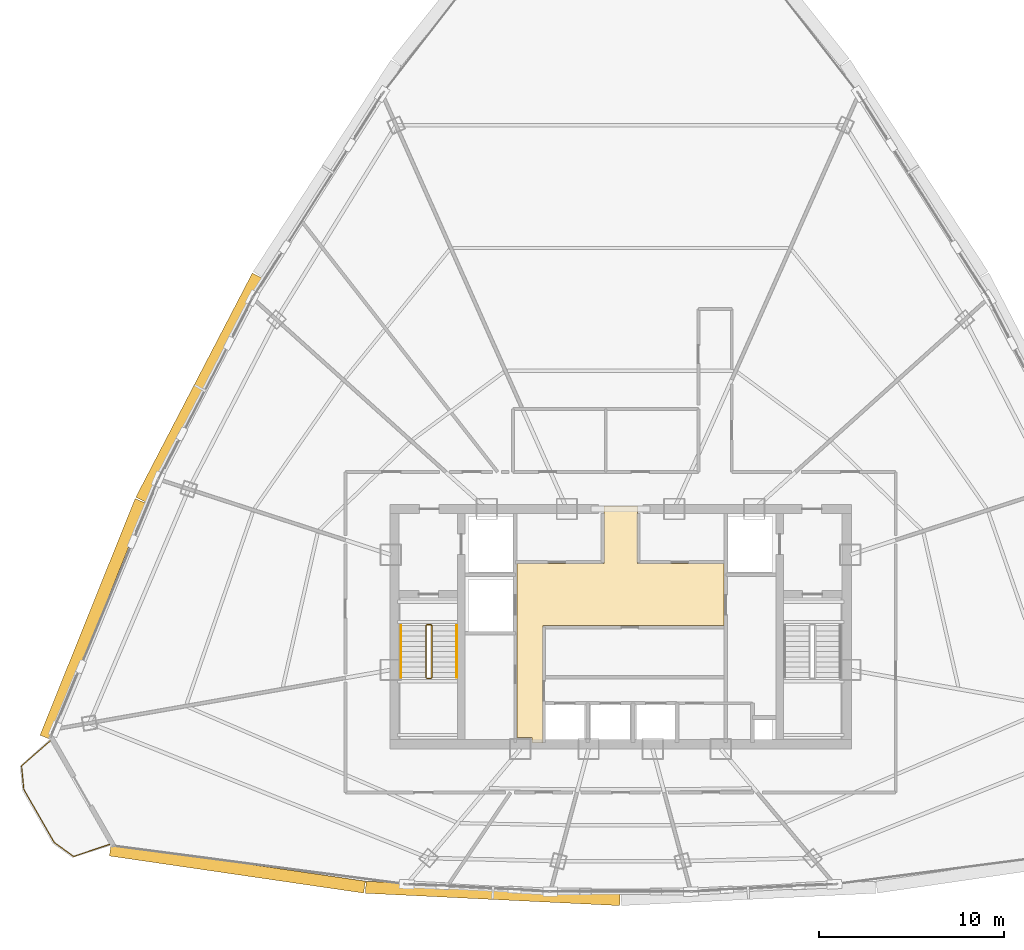
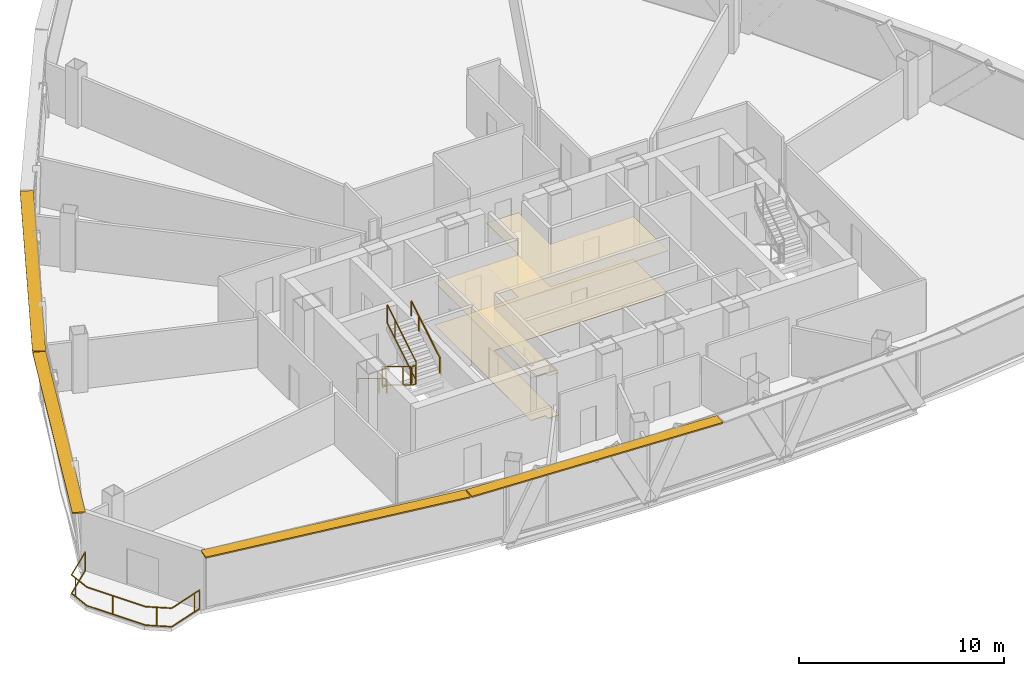
# One storey, part 33 of 35: 7 railings, 4 shading devices, 2 coverings.
"""IFC4 building model written with IfcOpenShell, lengths in metres."""

import ifcopenshell
import ifcopenshell.guid

model = None  # the IFC model being written
_history = None  # IfcOwnerHistory: only IFC2X3 demands one
_inside = {}  # id of a spatial element -> (the spatial element, [elements in it])
_under = {}  # id of a project, library or spatial element -> (it, [spatial elements below it])
_declared = {}  # id of a project -> (the project, [libraries it declares])
_typed = {}  # id of a type object -> (the type object, [elements of that type])
_made_of = {}  # id of a material, layer set ... -> (it, [elements and type objects made of it])


def new_model(schema):
    """Start an empty IFC model of exactly this schema.

    Asked for "IFC4X3", IfcOpenShell would pick the latest addendum, in which some entities
    have other attributes; the version numbers below select the first issue.
    IFC2X3 requires an IfcOwnerHistory on every rooted entity: one is made here for all.
    """
    global model, _history
    if schema == "IFC4X3":
        model = ifcopenshell.file(schema_version=(4, 3, 0, 0))
    else:
        model = ifcopenshell.file(schema=schema)
    _inside.clear()
    _under.clear()
    _declared.clear()
    _typed.clear()
    _made_of.clear()
    _history = None
    if model.schema == "IFC2X3":
        org = make("IfcOrganization", Name="unknown")
        user = make(
            "IfcPersonAndOrganization",
            ThePerson=make("IfcPerson", FamilyName="unknown"),
            TheOrganization=org,
        )
        app = make(
            "IfcApplication",
            ApplicationDeveloper=org,
            Version="unknown",
            ApplicationFullName="unknown",
            ApplicationIdentifier="unknown",
        )
        _history = make(
            "IfcOwnerHistory",
            OwningUser=user,
            OwningApplication=app,
            ChangeAction="ADDED",
            CreationDate=0,
        )
    return model


def make(cls, **values):
    """One entity of the class cls with the attributes given. An attribute that is None is left unset."""
    return model.create_entity(
        cls, **{name: value for name, value in values.items() if value is not None}
    )


def rooted(cls, **values):
    """An entity with a GlobalId (a new one), such as an element, a storey or a relation."""
    return make(cls, GlobalId=ifcopenshell.guid.new(), OwnerHistory=_history, **values)


def si_unit(unit_type, name, prefix=None):
    """IfcSIUnit, for example si_unit("LENGTHUNIT", "METRE", prefix="MILLI")."""
    return make("IfcSIUnit", UnitType=unit_type, Prefix=prefix, Name=name)


def assignment(units):
    """IfcUnitAssignment: the units of a project."""
    return None if units is None else make("IfcUnitAssignment", Units=units)


def point(xyz):
    """IfcCartesianPoint."""
    return None if xyz is None else make("IfcCartesianPoint", Coordinates=xyz)


def direction(xyz):
    """IfcDirection."""
    return None if xyz is None else make("IfcDirection", DirectionRatios=xyz)


def frame(location, z_axis=None, x_axis=None):
    """IfcAxis2Placement3D, a coordinate frame: its origin and axes. An axis left out is left unset."""
    return make(
        "IfcAxis2Placement3D",
        Location=point(location),
        Axis=direction(z_axis),
        RefDirection=direction(x_axis),
    )


def frame_2d(location, x_axis=None):
    """IfcAxis2Placement2D, a coordinate frame in the plane: its origin and x axis."""
    return make(
        "IfcAxis2Placement2D", Location=point(location), RefDirection=direction(x_axis)
    )


def origin():
    """The frame at (0, 0, 0) with its axes left unset."""
    return frame((0.0, 0.0, 0.0))


def origin_2d():
    """The frame at (0, 0) in the plane with its x axis left unset."""
    return frame_2d((0.0, 0.0))


def place(relative_to, where):
    """IfcLocalPlacement: puts the frame where relative to a parent placement (None: the world)."""
    return make(
        "IfcLocalPlacement", PlacementRelTo=relative_to, RelativePlacement=where
    )


def context(
    kind, dimensions, precision=None, world=None, true_north=None, identifier=None
):
    """IfcGeometricRepresentationContext, for example the 3D "Model" context."""
    return make(
        "IfcGeometricRepresentationContext",
        ContextIdentifier=identifier,
        ContextType=kind,
        CoordinateSpaceDimension=dimensions,
        Precision=precision,
        WorldCoordinateSystem=world,
        TrueNorth=true_north,
    )


def subcontext(parent, identifier, kind, view, scale=None):
    """IfcGeometricRepresentationSubContext, for example "Body" below "Model"."""
    return make(
        "IfcGeometricRepresentationSubContext",
        ContextIdentifier=identifier,
        ContextType=kind,
        ParentContext=parent,
        TargetScale=scale,
        TargetView=view,
    )


def project(units=None, contexts=None):
    """IfcProject with its units and contexts."""
    return rooted(
        "IfcProject",
        Name="project",
        RepresentationContexts=contexts,
        UnitsInContext=assignment(units),
    )


def spatial(cls, under=None, at=None, **own):
    """A site, building, storey or space (cls), placed at a placement, below another one or the project."""
    s = rooted(cls, ObjectPlacement=at, **own)
    if under is not None:
        _under.setdefault(under.id(), (under, []))[1].append(s)
    return s


def polyline(points):
    """IfcPolyline through the points."""
    return make("IfcPolyline", Points=[point(p) for p in points])


def profile(cls, at=None, kind="AREA", **sizes):
    """A parametric profile (cls). Its sizes go by their IFC names, for example OverallWidth=200.0."""
    return make(cls, ProfileType=kind, Position=at, **sizes)


def rectangle(**sizes):
    """IfcRectangleProfileDef."""
    return profile("IfcRectangleProfileDef", **sizes)


def outline(outer, holes=None, kind="AREA"):
    """IfcArbitraryClosedProfileDef: a profile drawn as a closed curve; with holes, ...WithVoids."""
    if holes is None:
        return make("IfcArbitraryClosedProfileDef", ProfileType=kind, OuterCurve=outer)
    return make(
        "IfcArbitraryProfileDefWithVoids",
        ProfileType=kind,
        OuterCurve=outer,
        InnerCurves=holes,
    )


def extrude(swept, where, along, depth):
    """IfcExtrudedAreaSolid: the profile swept, set in the frame where, extruded along a direction by depth."""
    return make(
        "IfcExtrudedAreaSolid",
        SweptArea=swept,
        Position=where,
        ExtrudedDirection=direction(along),
        Depth=depth,
    )


def shape(context_of_items, identifier, shape_type, items):
    """IfcShapeRepresentation: the items that make up one representation, for example the "Body"."""
    return make(
        "IfcShapeRepresentation",
        ContextOfItems=context_of_items,
        RepresentationIdentifier=identifier,
        RepresentationType=shape_type,
        Items=items,
    )


def source(mapping_origin, context_of_items, identifier, shape_type, items):
    """IfcRepresentationMap: a shape defined once, which mapped items show again and again."""
    return make(
        "IfcRepresentationMap",
        MappingOrigin=mapping_origin,
        MappedRepresentation=shape(context_of_items, identifier, shape_type, items),
    )


def transform(
    local_origin,
    x_axis=None,
    y_axis=None,
    z_axis=None,
    scale=None,
    scale2=None,
    scale3=None,
    uniform=True,
):
    """IfcCartesianTransformationOperator3D, or its non-uniform kind. x_axis, y_axis, z_axis: its Axis1, 2, 3."""
    if uniform:
        return make(
            "IfcCartesianTransformationOperator3D",
            Axis1=direction(x_axis),
            Axis2=direction(y_axis),
            LocalOrigin=point(local_origin),
            Scale=scale,
            Axis3=direction(z_axis),
        )
    return make(
        "IfcCartesianTransformationOperator3DnonUniform",
        Axis1=direction(x_axis),
        Axis2=direction(y_axis),
        LocalOrigin=point(local_origin),
        Scale=scale,
        Axis3=direction(z_axis),
        Scale2=scale2,
        Scale3=scale3,
    )


def mapped(mapping_source, mapping_target):
    """IfcMappedItem: shows the shape of a source again, moved by a transform."""
    return make(
        "IfcMappedItem", MappingSource=mapping_source, MappingTarget=mapping_target
    )


def material(Name=None, Category=None):
    """IfcMaterial."""
    return make("IfcMaterial", Name=Name, Category=Category)


def layer(
    of_material, thickness, ventilated=None, Name=None, Category=None, Priority=None
):
    """IfcMaterialLayer: one layer of a wall or slab, of a material (None: an air gap)."""
    return make(
        "IfcMaterialLayer",
        Material=of_material,
        LayerThickness=thickness,
        IsVentilated=ventilated,
        Name=Name,
        Category=Category,
        Priority=Priority,
    )


def layer_set(layers, Name=None):
    """IfcMaterialLayerSet."""
    return make("IfcMaterialLayerSet", MaterialLayers=layers, LayerSetName=Name)


def made_of(thing, what):
    """Note that an element or type object is made of a material, layer set ...; save() writes the relation."""
    if what is not None:
        _made_of.setdefault(what.id(), (what, []))[1].append(thing)
    return thing


def type_object(cls, material=None, **own):
    """A type object (cls), such as IfcWallType, which elements share."""
    return made_of(rooted(cls, **own), material)


def element(
    cls,
    number,
    at=None,
    inside=None,
    cuts=None,
    type_object=None,
    material=None,
    context=None,
    identifier="Body",
    shape_type=None,
    held_by="IfcProductDefinitionShape",
    body=None,
    shapes=None,
    **own,
):
    """One element of the class cls, such as IfcWall. Its Tag is "e" and its number.

    at: its placement. inside: the storey or other place that contains it. cuts: it is an
    opening in that element (IfcRelVoidsElement). A single representation is given by context,
    identifier, shape_type and body (its items); several are given by shapes. held_by: the class
    of the entity that holds the representations. save() writes the other relations.
    """
    e = rooted(cls, Tag="e%d" % number, ObjectPlacement=at, **own)
    if body is not None:
        shapes = [shape(context, identifier, shape_type, body)]
    if shapes is not None:
        e.Representation = make(held_by, Representations=shapes)
    if inside is not None:
        _inside.setdefault(inside.id(), (inside, []))[1].append(e)
    if cuts is not None:
        rooted(
            "IfcRelVoidsElement", RelatingBuildingElement=cuts, RelatedOpeningElement=e
        )
    if type_object is not None:
        _typed.setdefault(type_object.id(), (type_object, []))[1].append(e)
    return made_of(e, material)


def aggregate(whole, parts):
    """IfcRelAggregates: a whole, such as a stair, and the parts it consists of."""
    return rooted("IfcRelAggregates", RelatingObject=whole, RelatedObjects=parts)


def save(model, path):
    """Write the relations noted so far, then the file.

    IfcRelAggregates (storeys below a building ...), IfcRelContainedInSpatialStructure (elements
    in a storey), IfcRelDefinesByType, IfcRelAssociatesMaterial and IfcRelDeclares: one each for
    every whole, place, type object, material and project.
    """
    for whole, parts in _under.values():
        aggregate(whole, parts)
    for where, things in _inside.values():
        rooted(
            "IfcRelContainedInSpatialStructure",
            RelatedElements=things,
            RelatingStructure=where,
        )
    for kind, things in _typed.values():
        rooted("IfcRelDefinesByType", RelatedObjects=things, RelatingType=kind)
    for what, things in _made_of.values():
        rooted("IfcRelAssociatesMaterial", RelatedObjects=things, RelatingMaterial=what)
    for by, libraries in _declared.values():
        rooted("IfcRelDeclares", RelatingContext=by, RelatedDefinitions=libraries)
    model.write(path)


model = new_model("IFC4")

# Units and contexts
model_context = context("Model", 3, precision=1e-05, world=origin(), true_north=direction((0.0, 1.0)))
body_context = subcontext(model_context, "Body", "Model", "MODEL_VIEW")
ifc_project = project(units=[si_unit("LENGTHUNIT", "METRE"), si_unit("AREAUNIT", "SQUARE_METRE"), si_unit("VOLUMEUNIT", "CUBIC_METRE"), si_unit("PLANEANGLEUNIT", "RADIAN"), si_unit("MASSUNIT", "GRAM", prefix="KILO"), si_unit("THERMODYNAMICTEMPERATUREUNIT", "KELVIN"), si_unit("POWERUNIT", "WATT")], contexts=[model_context])

# Site, building, storey
site_placement = place(None, origin())
site = spatial("IfcSite", under=ifc_project, at=site_placement, CompositionType="ELEMENT")
building_placement = place(site_placement, origin())
building = spatial("IfcBuilding", under=site, at=building_placement, Name="Yunzhuo Pagoda Commons", CompositionType="ELEMENT")
storey_placement = place(building_placement, frame((0.0, 0.0, 303.669921875)))
storey = spatial("IfcBuildingStorey", under=building, at=storey_placement, Name="L76", CompositionType="ELEMENT", Elevation=303.669921875)

# Coverings
ifc_material_1 = material(Name="Micro-perforated metal baffle ceiling")
ifc_layer_1 = layer(ifc_material_1, 0.034912109375)
ifc_layer_set_1 = layer_set([ifc_layer_1], Name="Micro-perforated metal baffle ceiling")
covering_type_1 = type_object("IfcCoveringType", Name="COV-CL3 Ceiling 35", PredefinedType="CEILING", material=ifc_layer_set_1)
covering_1_placement = place(storey_placement, frame((0.0, 0.0, 2.52001953125)))
element("IfcCovering", 1, at=covering_1_placement, inside=storey, type_object=covering_type_1, Name="L76 lift lobby acoustic ceiling", PredefinedType="CEILING", context=body_context, shape_type="SweptSolid", body=[
    extrude(outline(polyline([(43.207763671875, 27.85009765625), (43.201904296875, 27.864013671875), (43.187744140625, 27.8701171875), (42.39990234375, 27.8701171875), (42.39990234375, 33.89990234375), (42.39990234375, 37.25), (47.10009765625, 37.25), (47.10009765625, 40.35009765625), (48.89990234375, 40.35009765625), (48.89990234375, 37.25), (53.580078125, 37.25), (53.580078125, 33.89990234375), (43.820068359375, 33.89990234375), (43.820068359375, 27.60009765625), (43.207763671875, 27.60009765625), (43.207763671875, 27.85009765625)])), origin(), (0.0, 0.0, 1.0), 0.03515625),
])
ifc_material_2 = material(Name="Resilient acoustic studio flooring")
ifc_layer_2 = layer(ifc_material_2, 0.01806640625)
ifc_layer_set_2 = layer_set([ifc_layer_2], Name="Resilient acoustic studio flooring")
covering_type_2 = type_object("IfcCoveringType", Name="COV-FL3 Flooring 18", PredefinedType="FLOORING", material=ifc_layer_set_2)
covering_2_placement = place(storey_placement, origin())
element("IfcCovering", 2, at=covering_2_placement, inside=storey, type_object=covering_type_2, Name="L76 lift lobby flooring", PredefinedType="FLOORING", context=body_context, shape_type="SweptSolid", body=[
    extrude(outline(polyline([(43.207763671875, 27.85009765625), (43.201904296875, 27.864013671875), (43.187744140625, 27.8701171875), (42.39990234375, 27.8701171875), (42.39990234375, 33.89990234375), (42.39990234375, 37.25), (47.10009765625, 37.25), (47.10009765625, 40.35009765625), (48.89990234375, 40.35009765625), (48.89990234375, 37.25), (53.580078125, 37.25), (53.580078125, 33.89990234375), (43.820068359375, 33.89990234375), (43.820068359375, 27.60009765625), (43.207763671875, 27.60009765625), (43.207763671875, 27.85009765625)])), origin(), (0.0, 0.0, 1.0), 0.01806640625),
])

# Railings
ifc_material_3 = material(Name="Anodized aluminium 6063-T6", Category="aluminium")
railing_type_1 = type_object("IfcRailingType", Name="GR-ST1 Stair Well Guardrail 1150", PredefinedType="GUARDRAIL", material=ifc_material_3)
railing_1_placement = place(storey_placement, frame((37.5, 33.89990234375, 0.169677734375)))
element("IfcRailing", 3, at=railing_1_placement, inside=storey, type_object=railing_type_1, Name="L76 ST1 stair guard 1", PredefinedType="GUARDRAIL", context=body_context, shape_type="SweptSolid", body=[
    extrude(rectangle(XDim=0.048095703125, YDim=0.048095703125, at=origin_2d()), frame((0.0, 0.0, 1.1259765625), z_axis=(0.0, -0.855406155521, 0.517957825596), x_axis=(1.0, 0.0, 0.0)), (0.0, 0.0, 1.0), 3.27294921875),
    extrude(rectangle(XDim=0.048095703125, YDim=0.048095703125, at=origin_2d()), frame((0.0, 0.0, 0.02392578125), z_axis=(0.0, -0.855406155521, 0.517957825596), x_axis=(1.0, 0.0, 0.0)), (0.0, 0.0, 1.0), 3.27294921875),
    extrude(rectangle(XDim=0.0419921875, YDim=0.0419921875, at=origin_2d()), origin(), (0.0, 0.0, 1.0), 1.101806640625),
    extrude(rectangle(XDim=0.0419921875, YDim=0.0419921875, at=origin_2d()), frame((0.0, -2.052978515625, 1.2431640625)), (0.0, 0.0, 1.0), 1.101806640625),
    extrude(rectangle(XDim=0.0419921875, YDim=0.0419921875, at=origin_2d()), frame((0.0, -2.7998046875, 1.6953125)), (0.0, 0.0, 1.0), 1.101806640625),
])
railing_2_placement = place(storey_placement, frame((37.550048828125, 31.050048828125, 1.864990234375)))
element("IfcRailing", 4, at=railing_2_placement, inside=storey, type_object=railing_type_1, Name="L76 ST1 stair guard 2", PredefinedType="GUARDRAIL", context=body_context, shape_type="SweptSolid", body=[
    extrude(rectangle(XDim=0.048095703125, YDim=0.048095703125, at=origin_2d()), frame((0.0, 0.0, 1.1259765625), z_axis=(1.0, 0.0, 0.0), x_axis=(0.0, 1.0, 0.0)), (0.0, 0.0, 1.0), 0.199951171875),
    extrude(rectangle(XDim=0.048095703125, YDim=0.048095703125, at=origin_2d()), frame((0.0, 0.0, 0.02392578125), z_axis=(1.0, 0.0, 0.0), x_axis=(0.0, 1.0, 0.0)), (0.0, 0.0, 1.0), 0.199951171875),
    extrude(rectangle(XDim=0.0419921875, YDim=0.0419921875, at=origin_2d()), origin(), (0.0, 0.0, 1.0), 1.101806640625),
    extrude(rectangle(XDim=0.0419921875, YDim=0.0419921875, at=origin_2d()), frame((0.199951171875, 0.0, 0.0)), (0.0, 0.0, 1.0), 1.101806640625),
])
railing_3_placement = place(storey_placement, frame((37.800048828125, 31.10009765625, 2.03466796875)))
element("IfcRailing", 5, at=railing_3_placement, inside=storey, type_object=railing_type_1, Name="L76 ST1 stair guard 3", PredefinedType="GUARDRAIL", context=body_context, shape_type="SweptSolid", body=[
    extrude(rectangle(XDim=0.048095703125, YDim=0.048095703125, at=origin_2d()), frame((0.0, 0.0, 1.1259765625), z_axis=(0.0, 0.855406155521, 0.517957825596), x_axis=(-1.0, 0.0, 0.0)), (0.0, 0.0, 1.0), 3.27294921875),
    extrude(rectangle(XDim=0.048095703125, YDim=0.048095703125, at=origin_2d()), frame((0.0, 0.0, 0.02392578125), z_axis=(0.0, 0.855406155521, 0.517957825596), x_axis=(-1.0, 0.0, 0.0)), (0.0, 0.0, 1.0), 3.27294921875),
    extrude(rectangle(XDim=0.0419921875, YDim=0.0419921875, at=origin_2d()), origin(), (0.0, 0.0, 1.0), 1.101806640625),
    extrude(rectangle(XDim=0.0419921875, YDim=0.0419921875, at=origin_2d()), frame((0.0, 2.052978515625, 1.2431640625)), (0.0, 0.0, 1.0), 1.101806640625),
    extrude(rectangle(XDim=0.0419921875, YDim=0.0419921875, at=origin_2d()), frame((0.0, 2.7998046875, 1.6953125)), (0.0, 0.0, 1.0), 1.101806640625),
])
railing_4_placement = place(storey_placement, frame((37.550048828125, 33.949951171875, 0.0)))
element("IfcRailing", 6, at=railing_4_placement, inside=storey, type_object=railing_type_1, Name="L76 ST1 stair guard 4", PredefinedType="GUARDRAIL", context=body_context, shape_type="SweptSolid", body=[
    extrude(rectangle(XDim=0.048095703125, YDim=0.048095703125, at=origin_2d()), frame((0.0, 0.0, 1.1259765625), z_axis=(1.0, 0.0, 0.0), x_axis=(0.0, 1.0, 0.0)), (0.0, 0.0, 1.0), 0.199951171875),
    extrude(rectangle(XDim=0.048095703125, YDim=0.048095703125, at=origin_2d()), frame((0.0, 0.0, 0.02392578125), z_axis=(1.0, 0.0, 0.0), x_axis=(0.0, 1.0, 0.0)), (0.0, 0.0, 1.0), 0.199951171875),
    extrude(rectangle(XDim=0.0419921875, YDim=0.0419921875, at=origin_2d()), origin(), (0.0, 0.0, 1.0), 1.101806640625),
    extrude(rectangle(XDim=0.0419921875, YDim=0.0419921875, at=origin_2d()), frame((0.199951171875, 0.0, 0.0)), (0.0, 0.0, 1.0), 1.101806640625),
])
railing_type_2 = type_object("IfcRailingType", Name="HR-ST1 Stair Handrail 900", PredefinedType="HANDRAIL", material=ifc_material_3)
railing_5_placement = place(storey_placement, frame((36.14990234375, 33.89990234375, 0.169677734375)))
element("IfcRailing", 7, at=railing_5_placement, inside=storey, type_object=railing_type_2, Name="L76 ST1 stair handrail 1", PredefinedType="HANDRAIL", context=body_context, shape_type="SweptSolid", body=[
    extrude(rectangle(XDim=0.048095703125, YDim=0.048095703125, at=origin_2d()), frame((0.0, 0.0, 0.8759765625), z_axis=(0.0, -0.855406155521, 0.517957825596), x_axis=(1.0, 0.0, 0.0)), (0.0, 0.0, 1.0), 3.27294921875),
    extrude(rectangle(XDim=0.0419921875, YDim=0.0419921875, at=origin_2d()), origin(), (0.0, 0.0, 1.0), 0.851806640625),
    extrude(rectangle(XDim=0.0419921875, YDim=0.0419921875, at=origin_2d()), frame((0.0, -2.052978515625, 1.2431640625)), (0.0, 0.0, 1.0), 0.851806640625),
    extrude(rectangle(XDim=0.0419921875, YDim=0.0419921875, at=origin_2d()), frame((0.0, -2.7998046875, 1.6953125)), (0.0, 0.0, 1.0), 0.851806640625),
])
railing_6_placement = place(storey_placement, frame((39.14990234375, 31.10009765625, 2.03466796875)))
element("IfcRailing", 8, at=railing_6_placement, inside=storey, type_object=railing_type_2, Name="L76 ST1 stair handrail 2", PredefinedType="HANDRAIL", context=body_context, shape_type="SweptSolid", body=[
    extrude(rectangle(XDim=0.048095703125, YDim=0.048095703125, at=origin_2d()), frame((0.0, 0.0, 0.8759765625), z_axis=(0.0, 0.855406155521, 0.517957825596), x_axis=(-1.0, 0.0, 0.0)), (0.0, 0.0, 1.0), 3.27294921875),
    extrude(rectangle(XDim=0.0419921875, YDim=0.0419921875, at=origin_2d()), origin(), (0.0, 0.0, 1.0), 0.851806640625),
    extrude(rectangle(XDim=0.0419921875, YDim=0.0419921875, at=origin_2d()), frame((0.0, 2.052978515625, 1.2431640625)), (0.0, 0.0, 1.0), 0.851806640625),
    extrude(rectangle(XDim=0.0419921875, YDim=0.0419921875, at=origin_2d()), frame((0.0, 2.7998046875, 1.6953125)), (0.0, 0.0, 1.0), 0.851806640625),
])
railing_type_3 = type_object("IfcRailingType", Name="RL-BAL1 Exterior Terrace & Balcony Balustrade 1150", PredefinedType="BALUSTRADE", material=ifc_material_3)
railing_7_placement = place(storey_placement, frame((17.22509765625, 27.6923828125, 0.0)))
element("IfcRailing", 9, at=railing_7_placement, inside=storey, type_object=railing_type_3, Name="L76 corner balcony balustrade V1", PredefinedType="BALUSTRADE", context=body_context, shape_type="SweptSolid", body=[
    extrude(rectangle(XDim=0.048095703125, YDim=0.048095703125, at=origin_2d()), frame((0.0, 0.0, 1.1259765625), z_axis=(-0.753933830692, -0.656950362614, 0.0), x_axis=(0.656950362614, -0.753933830692, 0.0)), (0.0, 0.0, 1.0), 2.05908203125),
    extrude(rectangle(XDim=0.048095703125, YDim=0.048095703125, at=origin_2d()), frame((0.0, 0.0, 0.02392578125), z_axis=(-0.753933830692, -0.656950362614, 0.0), x_axis=(0.656950362614, -0.753933830692, 0.0)), (0.0, 0.0, 1.0), 2.05908203125),
    extrude(rectangle(XDim=0.048095703125, YDim=0.048095703125, at=origin_2d()), frame((-1.552490234375, -1.352783203125, 1.1259765625), z_axis=(0.095929580564, -0.995388123082, 0.0), x_axis=(0.995388123082, 0.095929580564, 0.0)), (0.0, 0.0, 1.0), 1.28515625),
    extrude(rectangle(XDim=0.048095703125, YDim=0.048095703125, at=origin_2d()), frame((-1.552490234375, -1.352783203125, 0.02392578125), z_axis=(0.095929580564, -0.995388123082, 0.0), x_axis=(0.995388123082, 0.095929580564, 0.0)), (0.0, 0.0, 1.0), 1.28515625),
    extrude(rectangle(XDim=0.048095703125, YDim=0.048095703125, at=origin_2d()), frame((-1.42919921875, -2.632080078125, 1.1259765625), z_axis=(0.497913868519, -0.867226486874, 0.0), x_axis=(0.867226486874, 0.497913868519, 0.0)), (0.0, 0.0, 1.0), 3.30126953125),
    extrude(rectangle(XDim=0.048095703125, YDim=0.048095703125, at=origin_2d()), frame((-1.42919921875, -2.632080078125, 0.02392578125), z_axis=(0.497913868519, -0.867226486874, 0.0), x_axis=(0.867226486874, 0.497913868519, 0.0)), (0.0, 0.0, 1.0), 3.30126953125),
    extrude(rectangle(XDim=0.048095703125, YDim=0.048095703125, at=origin_2d()), frame((0.214599609375, -5.4951171875, 1.1259765625), z_axis=(0.811274857139, -0.584664952066, 0.0), x_axis=(0.584664952066, 0.811274857139, 0.0)), (0.0, 0.0, 1.0), 1.285400390625),
    extrude(rectangle(XDim=0.048095703125, YDim=0.048095703125, at=origin_2d()), frame((0.214599609375, -5.4951171875, 0.02392578125), z_axis=(0.811274857139, -0.584664952066, 0.0), x_axis=(0.584664952066, 0.811274857139, 0.0)), (0.0, 0.0, 1.0), 1.285400390625),
    extrude(rectangle(XDim=0.048095703125, YDim=0.048095703125, at=origin_2d()), frame((1.25732421875, -6.24658203125, 1.1259765625), z_axis=(0.947383113487, 0.320101915457, 0.0), x_axis=(-0.320101915457, 0.947383113487, 0.0)), (0.0, 0.0, 1.0), 2.059326171875),
    extrude(rectangle(XDim=0.048095703125, YDim=0.048095703125, at=origin_2d()), frame((1.25732421875, -6.24658203125, 0.02392578125), z_axis=(0.947383113487, 0.320101915457, 0.0), x_axis=(-0.320101915457, 0.947383113487, 0.0)), (0.0, 0.0, 1.0), 2.059326171875),
    extrude(rectangle(XDim=0.0419921875, YDim=0.0419921875, at=origin_2d()), origin(), (0.0, 0.0, 1.0), 1.101806640625),
    extrude(rectangle(XDim=0.0419921875, YDim=0.0419921875, at=origin_2d()), frame((-1.519775390625, -1.692138671875, 0.0)), (0.0, 0.0, 1.0), 1.101806640625),
    extrude(rectangle(XDim=0.0419921875, YDim=0.0419921875, at=origin_2d()), frame((-0.704345703125, -3.894287109375, 0.0)), (0.0, 0.0, 1.0), 1.101806640625),
    extrude(rectangle(XDim=0.0419921875, YDim=0.0419921875, at=origin_2d()), frame((0.664306640625, -5.819091796875, 0.0)), (0.0, 0.0, 1.0), 1.101806640625),
    extrude(rectangle(XDim=0.0419921875, YDim=0.0419921875, at=origin_2d()), frame((2.83837890625, -5.71240234375, 0.0)), (0.0, 0.0, 1.0), 1.101806640625),
    extrude(rectangle(XDim=0.0419921875, YDim=0.0419921875, at=origin_2d()), frame((3.208251953125, -5.58740234375, 0.0)), (0.0, 0.0, 1.0), 1.101806640625),
])

# Shading devices
ifc_layer_3 = layer(ifc_material_3, 0.080078125)
ifc_layer_set_3 = layer_set([ifc_layer_3], Name="Anodized aluminium 6063-T6")
shading_device_type = type_object("IfcShadingDeviceType", Name="SH-SUN1 Pagoda Horizontal Sunshade Eave 650", PredefinedType="USERDEFINED", material=ifc_layer_set_3)
shared_shape_1 = source(origin(), body_context, "Body", "SweptSolid", [
    extrude(rectangle(XDim=13.869384765625, YDim=0.64990234375, at=origin_2d()), origin(), (0.0, 0.0, 1.0), 0.080078125),
])
shading_device_1_placement = place(storey_placement, frame((27.3203125, 20.79345703125, 3.39013671875), z_axis=(0.0, 0.0, 1.0), x_axis=(0.989510666697, -0.144459823108, 0.0)))
element("IfcShadingDevice", 10, at=shading_device_1_placement, inside=storey, type_object=shading_device_type, Name="L76 horizontal pagoda sunshade eave F1.1", ObjectType="SUNSHADE", PredefinedType="USERDEFINED", context=body_context, shape_type="MappedRepresentation", body=[
    mapped(shared_shape_1, transform((0.0, 0.0, 0.0), scale=1.0)),
])
shared_shape_2 = source(origin(), body_context, "Body", "SweptSolid", [
    extrude(rectangle(XDim=13.73974609375, YDim=0.64990234375, at=origin_2d()), origin(), (0.0, 0.0, 1.0), 0.080078125),
])
shading_device_2_placement = place(storey_placement, frame((41.106689453125, 19.45166015625, 3.39013671875), z_axis=(0.0, 0.0, 1.0), x_axis=(0.998818043775, -0.04860571396, 0.0)))
element("IfcShadingDevice", 11, at=shading_device_2_placement, inside=storey, type_object=shading_device_type, Name="L76 horizontal pagoda sunshade eave F1.2", ObjectType="SUNSHADE", PredefinedType="USERDEFINED", context=body_context, shape_type="MappedRepresentation", body=[
    mapped(shared_shape_2, transform((0.0, 0.0, 0.0), scale=1.0)),
])
shared_shape_3 = source(origin(), body_context, "Body", "SweptSolid", [
    extrude(rectangle(XDim=13.7578125, YDim=0.64990234375, at=origin_2d()), origin(), (0.0, 0.0, 1.0), 0.080078125),
])
shading_device_3_placement = place(storey_placement, frame((19.535888671875, 34.252197265625, 3.39013671875), z_axis=(0.0, 0.0, 1.0), x_axis=(-0.372987782576, -0.927836253899, 0.0)))
element("IfcShadingDevice", 12, at=shading_device_3_placement, inside=storey, type_object=shading_device_type, Name="L76 horizontal pagoda sunshade eave F3.4", ObjectType="SUNSHADE", PredefinedType="USERDEFINED", context=body_context, shape_type="MappedRepresentation", body=[
    mapped(shared_shape_3, transform((0.0, 0.0, 0.0), scale=1.0)),
])
shared_shape_4 = source(origin(), body_context, "Body", "SweptSolid", [
    extrude(rectangle(XDim=13.627197265625, YDim=0.64990234375, at=origin_2d()), origin(), (0.0, 0.0, 1.0), 0.080078125),
])
shading_device_4_placement = place(storey_placement, frame((25.2705078125, 46.73779296875, 3.39013671875), z_axis=(0.0, 0.0, 1.0), x_axis=(-0.461206683033, -0.88729273384, 0.0)))
element("IfcShadingDevice", 13, at=shading_device_4_placement, inside=storey, type_object=shading_device_type, Name="L76 horizontal pagoda sunshade eave F3.3", ObjectType="SUNSHADE", PredefinedType="USERDEFINED", context=body_context, shape_type="MappedRepresentation", body=[
    mapped(shared_shape_4, transform((0.0, 0.0, 0.0), scale=1.0)),
])

save(model, "model.ifc")
